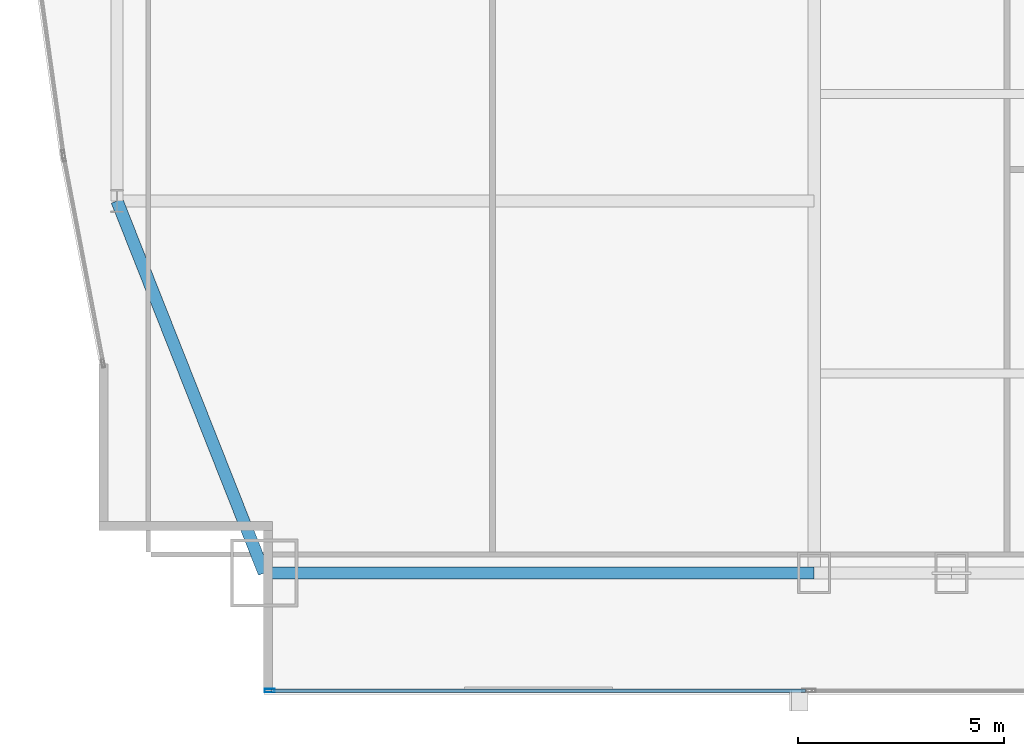
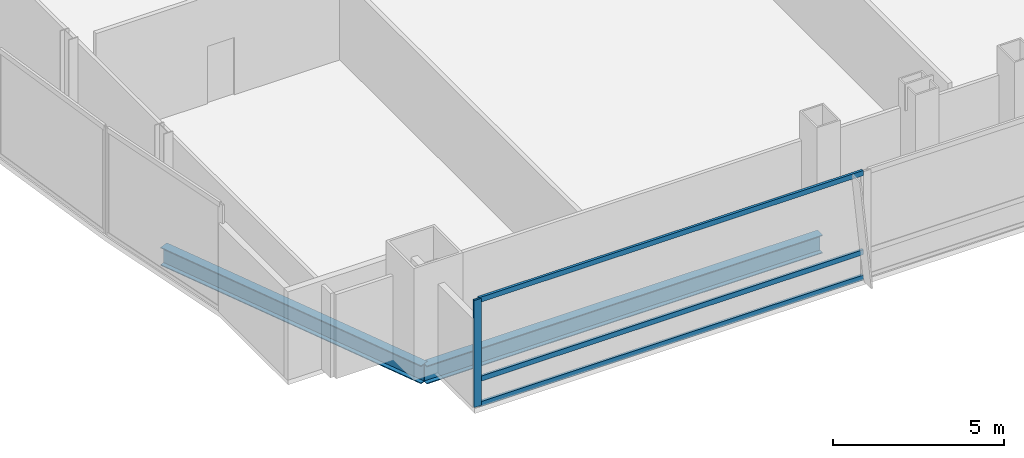
# One storey, part 5 of 37: 4 members, 2 beams, 1 element without a shape of its own.
"""IFC4 building model written with IfcOpenShell, lengths in metres."""

from ifc_helpers import new_model, si_unit, direction, frame, origin, origin_2d, place, context, subcontext, project, spatial, hollow_rectangle, i_section, extrude, material, material_profile, profile_set, type_object, element, aggregate, save


model = new_model("IFC4")

# Units and contexts
model_context = context("Model", 3, precision=1e-05, world=origin(), true_north=direction((0.0, 1.0)))
body_context = subcontext(model_context, "Body", "Model", "MODEL_VIEW")
ifc_project = project(units=[si_unit("LENGTHUNIT", "METRE"), si_unit("AREAUNIT", "SQUARE_METRE"), si_unit("VOLUMEUNIT", "CUBIC_METRE"), si_unit("PLANEANGLEUNIT", "RADIAN"), si_unit("MASSUNIT", "GRAM", prefix="KILO")], contexts=[model_context])

# Site, building, storey
site_placement = place(None, origin())
site = spatial("IfcSite", under=ifc_project, at=site_placement, CompositionType="ELEMENT")
building_placement = place(site_placement, origin())
building = spatial("IfcBuilding", under=site, at=building_placement, Name="Khoronbel Lancet Exchange", CompositionType="ELEMENT")
storey_placement = place(building_placement, frame((0.0, 0.0, 45.800048828125)))
storey = spatial("IfcBuildingStorey", under=building, at=storey_placement, Name="L10", CompositionType="ELEMENT", Elevation=45.800048828125)

# Beams
ifc_material_1 = material(Name="Steel S355", Category="steel")
ifc_material_profile_1 = material_profile(ifc_material_1, i_section(OverallWidth=0.300048828125, OverallDepth=0.64990234375, WebThickness=0.01611328125, FlangeThickness=0.031005859375, at=origin_2d()), Name="HEB 650")
ifc_profile_set_1 = profile_set([ifc_material_profile_1], Name="Steel S355")
beam_type = type_object("IfcBeamType", Name="BM-BSP1", PredefinedType="SPANDREL", material=ifc_profile_set_1)
beam_1_placement = place(storey_placement, frame((4.85009765625, 10.14990234375, -0.505126953125), z_axis=(1.0, 0.0, 0.0), x_axis=(0.0, 1.0, 0.0)))
element("IfcBeam", 1, at=beam_1_placement, inside=storey, type_object=beam_type, Name="Level L10 perimeter spandrel beam SP01", PredefinedType="SPANDREL", context=body_context, shape_type="SweptSolid", body=[
    extrude(i_section(OverallWidth=0.300048828125, OverallDepth=0.64990234375, WebThickness=0.01611328125, FlangeThickness=0.031005859375, at=origin_2d()), origin(), (0.0, 0.0, 1.0), 13.375),
])
beam_2_placement = place(storey_placement, frame((1.27001953125, 19.199951171875, -0.505126953125), z_axis=(0.367850095026, -0.92988510451, 0.0), x_axis=(0.92988510451, 0.367850095026, 0.0)))
element("IfcBeam", 2, at=beam_2_placement, inside=storey, type_object=beam_type, Name="Level L10 perimeter spandrel beam SP21", PredefinedType="SPANDREL", context=body_context, shape_type="SweptSolid", body=[
    extrude(i_section(OverallWidth=0.300048828125, OverallDepth=0.64990234375, WebThickness=0.01611328125, FlangeThickness=0.031005859375, at=origin_2d()), origin(), (0.0, 0.0, 1.0), 9.732421875),
])

# Curtain wall, members
ifc_material_2 = material(Name="Low-E Solar Control Insulating Glass", Category="glass")
curtain_wall_type = type_object("IfcCurtainWallType", Name="CW-1", PredefinedType="NOTDEFINED", material=ifc_material_2)
curtain_wall_placement = place(storey_placement, origin())
curtain_wall = element("IfcCurtainWall", 3, at=curtain_wall_placement, inside=storey, type_object=curtain_wall_type, Name="Unitised curtain wall CW-L10-SWV", PredefinedType="NOTDEFINED")
ifc_material_3 = material(Name="Bronze-Anodised Aluminium 6063-T6", Category="aluminium")
ifc_material_profile_2 = material_profile(ifc_material_3, hollow_rectangle(XDim=0.0849609375, YDim=0.239990234375, WallThickness=0.006103515625, at=origin_2d()), Name="ALU MULLION 85x240")
ifc_profile_set_2 = profile_set([ifc_material_profile_2], Name="Bronze-Anodised Aluminium 6063-T6")
member_type_1 = type_object("IfcMemberType", Name="MEM-CWM1", PredefinedType="MULLION", material=ifc_profile_set_2)
member_1_placement = place(storey_placement, frame((4.982421875, 7.2900390625, 0.0), z_axis=(0.0, 0.0, 1.0), x_axis=(0.0, 1.0, 0.0)))
member_1 = element("IfcMember", 4, at=member_1_placement, type_object=member_type_1, Name="CW1 mullion 1", PredefinedType="MULLION", context=body_context, shape_type="SweptSolid", body=[
    extrude(hollow_rectangle(XDim=0.0849609375, YDim=0.239990234375, WallThickness=0.006103515625, at=origin_2d()), origin(), (0.0, 0.0, 1.0), 3.820068359375),
])
ifc_material_profile_3 = material_profile(ifc_material_3, hollow_rectangle(XDim=0.0849609375, YDim=0.179931640625, WallThickness=0.0048828125, at=origin_2d()), Name="ALU TRANSOM 85x180")
ifc_profile_set_3 = profile_set([ifc_material_profile_3], Name="Bronze-Anodised Aluminium 6063-T6")
member_type_2 = type_object("IfcMemberType", Name="MEM-CWT1", PredefinedType="USERDEFINED", material=ifc_profile_set_3)
member_2_placement = place(storey_placement, frame((5.02490234375, 7.2900390625, 0.04248046875), z_axis=(1.0, 0.0, 0.0), x_axis=(0.0, 1.0, 0.0)))
member_2 = element("IfcMember", 5, at=member_2_placement, type_object=member_type_2, Name="CW1 transom 1.1", ObjectType="TRANSOM", PredefinedType="USERDEFINED", context=body_context, shape_type="SweptSolid", body=[
    extrude(hollow_rectangle(XDim=0.0849609375, YDim=0.179931640625, WallThickness=0.0048828125, at=origin_2d()), origin(), (0.0, 0.0, 1.0), 12.989990234375),
])
member_3_placement = place(storey_placement, frame((5.02490234375, 7.2900390625, 0.949951171875), z_axis=(1.0, 0.0, 0.0), x_axis=(0.0, 1.0, 0.0)))
member_3 = element("IfcMember", 6, at=member_3_placement, type_object=member_type_2, Name="CW1 transom 1.2", ObjectType="TRANSOM", PredefinedType="USERDEFINED", context=body_context, shape_type="SweptSolid", body=[
    extrude(hollow_rectangle(XDim=0.0849609375, YDim=0.179931640625, WallThickness=0.0048828125, at=origin_2d()), origin(), (0.0, 0.0, 1.0), 12.989990234375),
])
member_4_placement = place(storey_placement, frame((5.02490234375, 7.2900390625, 3.77734375), z_axis=(1.0, 0.0, 0.0), x_axis=(0.0, 1.0, 0.0)))
member_4 = element("IfcMember", 7, at=member_4_placement, type_object=member_type_2, Name="CW1 transom 1.3", ObjectType="TRANSOM", PredefinedType="USERDEFINED", context=body_context, shape_type="SweptSolid", body=[
    extrude(hollow_rectangle(XDim=0.0849609375, YDim=0.179931640625, WallThickness=0.0048828125, at=origin_2d()), origin(), (0.0, 0.0, 1.0), 12.989990234375),
])
aggregate(curtain_wall, [member_1, member_2, member_3, member_4])

save(model, "model.ifc")
